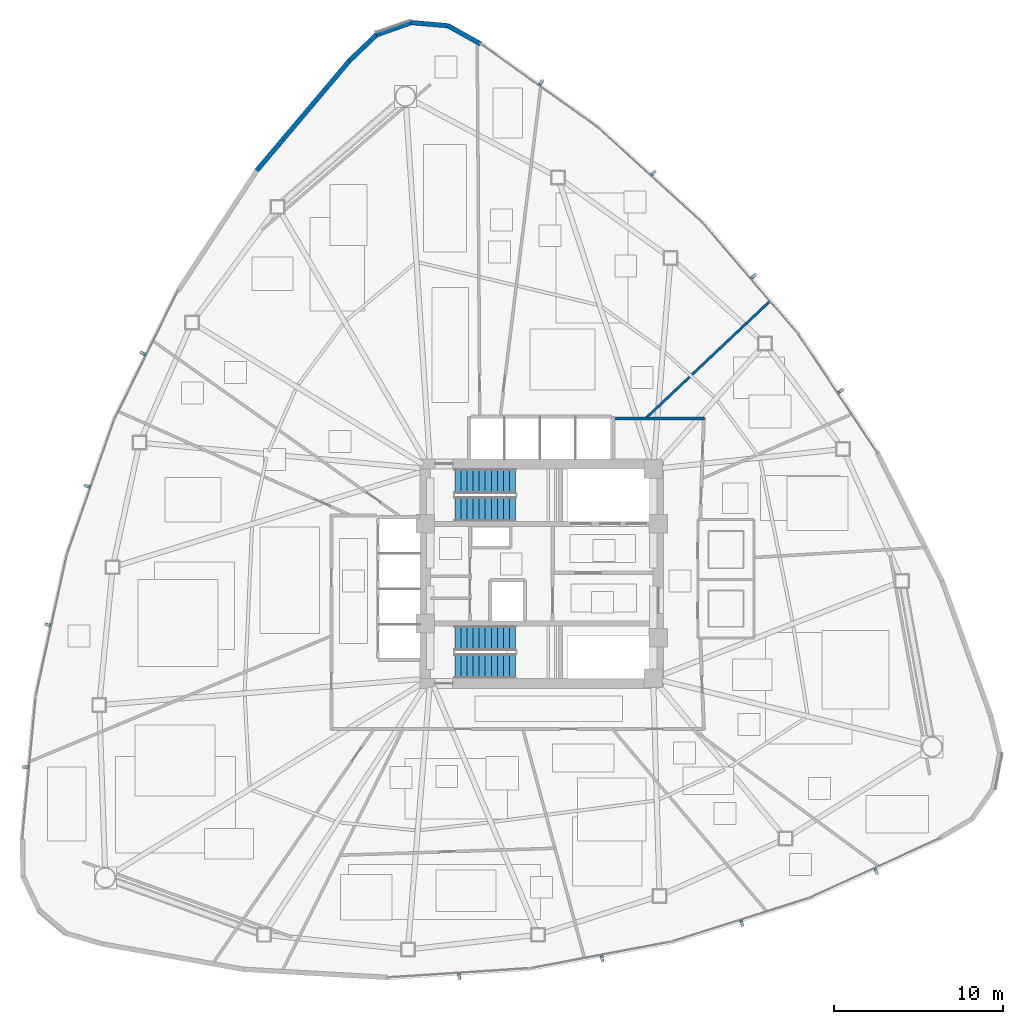
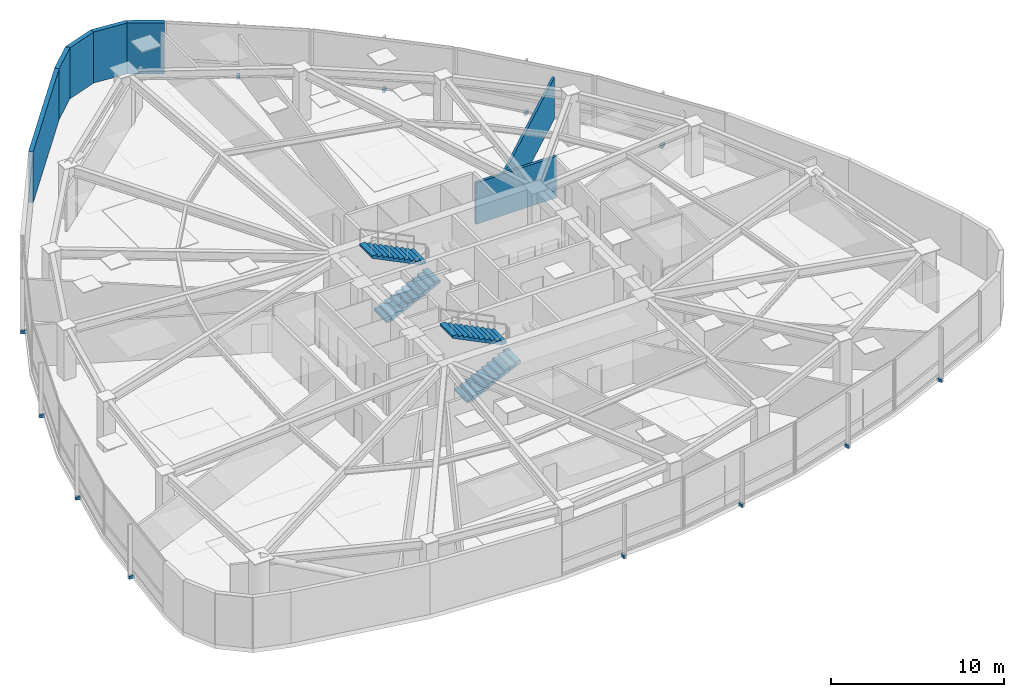
# One storey, part 14 of 18: 12 discrete accessories, 7 walls, 4 stair flights, 2 elements without a shape of their own.
"""IFC4 building model written with IfcOpenShell, lengths in metres."""

import ifcopenshell
import ifcopenshell.guid

model = None  # the IFC model being written
_history = None  # IfcOwnerHistory: only IFC2X3 demands one
_inside = {}  # id of a spatial element -> (the spatial element, [elements in it])
_under = {}  # id of a project, library or spatial element -> (it, [spatial elements below it])
_declared = {}  # id of a project -> (the project, [libraries it declares])
_typed = {}  # id of a type object -> (the type object, [elements of that type])
_made_of = {}  # id of a material, layer set ... -> (it, [elements and type objects made of it])


def new_model(schema):
    """Start an empty IFC model of exactly this schema.

    Asked for "IFC4X3", IfcOpenShell would pick the latest addendum, in which some entities
    have other attributes; the version numbers below select the first issue.
    IFC2X3 requires an IfcOwnerHistory on every rooted entity: one is made here for all.
    """
    global model, _history
    if schema == "IFC4X3":
        model = ifcopenshell.file(schema_version=(4, 3, 0, 0))
    else:
        model = ifcopenshell.file(schema=schema)
    _inside.clear()
    _under.clear()
    _declared.clear()
    _typed.clear()
    _made_of.clear()
    _history = None
    if model.schema == "IFC2X3":
        org = make("IfcOrganization", Name="unknown")
        user = make(
            "IfcPersonAndOrganization",
            ThePerson=make("IfcPerson", FamilyName="unknown"),
            TheOrganization=org,
        )
        app = make(
            "IfcApplication",
            ApplicationDeveloper=org,
            Version="unknown",
            ApplicationFullName="unknown",
            ApplicationIdentifier="unknown",
        )
        _history = make(
            "IfcOwnerHistory",
            OwningUser=user,
            OwningApplication=app,
            ChangeAction="ADDED",
            CreationDate=0,
        )
    return model


def make(cls, **values):
    """One entity of the class cls with the attributes given. An attribute that is None is left unset."""
    return model.create_entity(
        cls, **{name: value for name, value in values.items() if value is not None}
    )


def rooted(cls, **values):
    """An entity with a GlobalId (a new one), such as an element, a storey or a relation."""
    return make(cls, GlobalId=ifcopenshell.guid.new(), OwnerHistory=_history, **values)


def si_unit(unit_type, name, prefix=None):
    """IfcSIUnit, for example si_unit("LENGTHUNIT", "METRE", prefix="MILLI")."""
    return make("IfcSIUnit", UnitType=unit_type, Prefix=prefix, Name=name)


def assignment(units):
    """IfcUnitAssignment: the units of a project."""
    return None if units is None else make("IfcUnitAssignment", Units=units)


def point(xyz):
    """IfcCartesianPoint."""
    return None if xyz is None else make("IfcCartesianPoint", Coordinates=xyz)


def direction(xyz):
    """IfcDirection."""
    return None if xyz is None else make("IfcDirection", DirectionRatios=xyz)


def frame(location, z_axis=None, x_axis=None):
    """IfcAxis2Placement3D, a coordinate frame: its origin and axes. An axis left out is left unset."""
    return make(
        "IfcAxis2Placement3D",
        Location=point(location),
        Axis=direction(z_axis),
        RefDirection=direction(x_axis),
    )


def frame_2d(location, x_axis=None):
    """IfcAxis2Placement2D, a coordinate frame in the plane: its origin and x axis."""
    return make(
        "IfcAxis2Placement2D", Location=point(location), RefDirection=direction(x_axis)
    )


def origin():
    """The frame at (0, 0, 0) with its axes left unset."""
    return frame((0.0, 0.0, 0.0))


def origin_2d():
    """The frame at (0, 0) in the plane with its x axis left unset."""
    return frame_2d((0.0, 0.0))


def place(relative_to, where):
    """IfcLocalPlacement: puts the frame where relative to a parent placement (None: the world)."""
    return make(
        "IfcLocalPlacement", PlacementRelTo=relative_to, RelativePlacement=where
    )


def context(
    kind, dimensions, precision=None, world=None, true_north=None, identifier=None
):
    """IfcGeometricRepresentationContext, for example the 3D "Model" context."""
    return make(
        "IfcGeometricRepresentationContext",
        ContextIdentifier=identifier,
        ContextType=kind,
        CoordinateSpaceDimension=dimensions,
        Precision=precision,
        WorldCoordinateSystem=world,
        TrueNorth=true_north,
    )


def subcontext(parent, identifier, kind, view, scale=None):
    """IfcGeometricRepresentationSubContext, for example "Body" below "Model"."""
    return make(
        "IfcGeometricRepresentationSubContext",
        ContextIdentifier=identifier,
        ContextType=kind,
        ParentContext=parent,
        TargetScale=scale,
        TargetView=view,
    )


def project(units=None, contexts=None):
    """IfcProject with its units and contexts."""
    return rooted(
        "IfcProject",
        Name="project",
        RepresentationContexts=contexts,
        UnitsInContext=assignment(units),
    )


def spatial(cls, under=None, at=None, **own):
    """A site, building, storey or space (cls), placed at a placement, below another one or the project."""
    s = rooted(cls, ObjectPlacement=at, **own)
    if under is not None:
        _under.setdefault(under.id(), (under, []))[1].append(s)
    return s


def polyline(points):
    """IfcPolyline through the points."""
    return make("IfcPolyline", Points=[point(p) for p in points])


def profile(cls, at=None, kind="AREA", **sizes):
    """A parametric profile (cls). Its sizes go by their IFC names, for example OverallWidth=200.0."""
    return make(cls, ProfileType=kind, Position=at, **sizes)


def rectangle(**sizes):
    """IfcRectangleProfileDef."""
    return profile("IfcRectangleProfileDef", **sizes)


def outline(outer, holes=None, kind="AREA"):
    """IfcArbitraryClosedProfileDef: a profile drawn as a closed curve; with holes, ...WithVoids."""
    if holes is None:
        return make("IfcArbitraryClosedProfileDef", ProfileType=kind, OuterCurve=outer)
    return make(
        "IfcArbitraryProfileDefWithVoids",
        ProfileType=kind,
        OuterCurve=outer,
        InnerCurves=holes,
    )


def extrude(swept, where, along, depth):
    """IfcExtrudedAreaSolid: the profile swept, set in the frame where, extruded along a direction by depth."""
    return make(
        "IfcExtrudedAreaSolid",
        SweptArea=swept,
        Position=where,
        ExtrudedDirection=direction(along),
        Depth=depth,
    )


def shape(context_of_items, identifier, shape_type, items):
    """IfcShapeRepresentation: the items that make up one representation, for example the "Body"."""
    return make(
        "IfcShapeRepresentation",
        ContextOfItems=context_of_items,
        RepresentationIdentifier=identifier,
        RepresentationType=shape_type,
        Items=items,
    )


def source(mapping_origin, context_of_items, identifier, shape_type, items):
    """IfcRepresentationMap: a shape defined once, which mapped items show again and again."""
    return make(
        "IfcRepresentationMap",
        MappingOrigin=mapping_origin,
        MappedRepresentation=shape(context_of_items, identifier, shape_type, items),
    )


def transform(
    local_origin,
    x_axis=None,
    y_axis=None,
    z_axis=None,
    scale=None,
    scale2=None,
    scale3=None,
    uniform=True,
):
    """IfcCartesianTransformationOperator3D, or its non-uniform kind. x_axis, y_axis, z_axis: its Axis1, 2, 3."""
    if uniform:
        return make(
            "IfcCartesianTransformationOperator3D",
            Axis1=direction(x_axis),
            Axis2=direction(y_axis),
            LocalOrigin=point(local_origin),
            Scale=scale,
            Axis3=direction(z_axis),
        )
    return make(
        "IfcCartesianTransformationOperator3DnonUniform",
        Axis1=direction(x_axis),
        Axis2=direction(y_axis),
        LocalOrigin=point(local_origin),
        Scale=scale,
        Axis3=direction(z_axis),
        Scale2=scale2,
        Scale3=scale3,
    )


def mapped(mapping_source, mapping_target):
    """IfcMappedItem: shows the shape of a source again, moved by a transform."""
    return make(
        "IfcMappedItem", MappingSource=mapping_source, MappingTarget=mapping_target
    )


def material(Name=None, Category=None):
    """IfcMaterial."""
    return make("IfcMaterial", Name=Name, Category=Category)


def layer(
    of_material, thickness, ventilated=None, Name=None, Category=None, Priority=None
):
    """IfcMaterialLayer: one layer of a wall or slab, of a material (None: an air gap)."""
    return make(
        "IfcMaterialLayer",
        Material=of_material,
        LayerThickness=thickness,
        IsVentilated=ventilated,
        Name=Name,
        Category=Category,
        Priority=Priority,
    )


def layer_set(layers, Name=None):
    """IfcMaterialLayerSet."""
    return make("IfcMaterialLayerSet", MaterialLayers=layers, LayerSetName=Name)


def made_of(thing, what):
    """Note that an element or type object is made of a material, layer set ...; save() writes the relation."""
    if what is not None:
        _made_of.setdefault(what.id(), (what, []))[1].append(thing)
    return thing


def type_object(cls, material=None, **own):
    """A type object (cls), such as IfcWallType, which elements share."""
    return made_of(rooted(cls, **own), material)


def type_shapes(of_type, sources):
    """Give a type object the sources (RepresentationMaps) that its elements show as mapped items."""
    of_type.RepresentationMaps = sources


def element(
    cls,
    number,
    at=None,
    inside=None,
    cuts=None,
    type_object=None,
    material=None,
    context=None,
    identifier="Body",
    shape_type=None,
    held_by="IfcProductDefinitionShape",
    body=None,
    shapes=None,
    **own,
):
    """One element of the class cls, such as IfcWall. Its Tag is "e" and its number.

    at: its placement. inside: the storey or other place that contains it. cuts: it is an
    opening in that element (IfcRelVoidsElement). A single representation is given by context,
    identifier, shape_type and body (its items); several are given by shapes. held_by: the class
    of the entity that holds the representations. save() writes the other relations.
    """
    e = rooted(cls, Tag="e%d" % number, ObjectPlacement=at, **own)
    if body is not None:
        shapes = [shape(context, identifier, shape_type, body)]
    if shapes is not None:
        e.Representation = make(held_by, Representations=shapes)
    if inside is not None:
        _inside.setdefault(inside.id(), (inside, []))[1].append(e)
    if cuts is not None:
        rooted(
            "IfcRelVoidsElement", RelatingBuildingElement=cuts, RelatedOpeningElement=e
        )
    if type_object is not None:
        _typed.setdefault(type_object.id(), (type_object, []))[1].append(e)
    return made_of(e, material)


def aggregate(whole, parts):
    """IfcRelAggregates: a whole, such as a stair, and the parts it consists of."""
    return rooted("IfcRelAggregates", RelatingObject=whole, RelatedObjects=parts)


def save(model, path):
    """Write the relations noted so far, then the file.

    IfcRelAggregates (storeys below a building ...), IfcRelContainedInSpatialStructure (elements
    in a storey), IfcRelDefinesByType, IfcRelAssociatesMaterial and IfcRelDeclares: one each for
    every whole, place, type object, material and project.
    """
    for whole, parts in _under.values():
        aggregate(whole, parts)
    for where, things in _inside.values():
        rooted(
            "IfcRelContainedInSpatialStructure",
            RelatedElements=things,
            RelatingStructure=where,
        )
    for kind, things in _typed.values():
        rooted("IfcRelDefinesByType", RelatedObjects=things, RelatingType=kind)
    for what, things in _made_of.values():
        rooted("IfcRelAssociatesMaterial", RelatedObjects=things, RelatingMaterial=what)
    for by, libraries in _declared.values():
        rooted("IfcRelDeclares", RelatingContext=by, RelatedDefinitions=libraries)
    model.write(path)


model = new_model("IFC4")

# Units and contexts
model_context = context("Model", 3, precision=1e-05, world=origin(), true_north=direction((0.0, 1.0)))
body_context = subcontext(model_context, "Body", "Model", "MODEL_VIEW")
ifc_project = project(units=[si_unit("LENGTHUNIT", "METRE"), si_unit("AREAUNIT", "SQUARE_METRE"), si_unit("VOLUMEUNIT", "CUBIC_METRE"), si_unit("PLANEANGLEUNIT", "RADIAN"), si_unit("MASSUNIT", "GRAM", prefix="KILO")], contexts=[model_context])

# Site, building, storey
site_placement = place(None, origin())
site = spatial("IfcSite", under=ifc_project, at=site_placement, CompositionType="ELEMENT")
building_placement = place(site_placement, origin())
building = spatial("IfcBuilding", under=site, at=building_placement, Name="Tavelor Broadcast Tower", CompositionType="ELEMENT")
storey_placement = place(building_placement, frame((0.0, 0.0, 54.89990234375)))
storey = spatial("IfcBuildingStorey", under=building, at=storey_placement, Name="L12", CompositionType="ELEMENT", Elevation=54.89990234375)

# Walls
ifc_material_1 = material(Name="Calcium Silicate Fire Board 180 mm", Category="gypsum")
ifc_layer_1 = layer(ifc_material_1, 0.179931640625)
ifc_layer_set_1 = layer_set([ifc_layer_1], Name="Calcium Silicate Fire Board 180 mm")
wall_type_1 = type_object("IfcWallType", Name="Fire-Rated Corridor Partition Wall 180 mm", PredefinedType="PARTITIONING", material=ifc_layer_set_1)
wall_1_placement = place(storey_placement, frame((54.300048828125, 54.199951171875, 0.0), z_axis=(0.0, 0.0, 1.0), x_axis=(1.0, 0.0, 0.0)))
element("IfcWall", 1, at=wall_1_placement, inside=storey, type_object=wall_type_1, Name="L12 Corridor Compartment Wall 01", PredefinedType="PARTITIONING", context=body_context, shape_type="SweptSolid", body=[
    extrude(rectangle(XDim=5.349853515625, YDim=0.179931640625, at=frame_2d((2.6748046875, 0.0))), origin(), (0.0, 0.0, 1.0), 2.925048828125),
])
ifc_material_2 = material(Name="Precast Concrete C40/50", Category="concrete")
ifc_layer_2 = layer(ifc_material_2, 0.280029296875)
ifc_layer_set_2 = layer_set([ifc_layer_2], Name="Precast Concrete C40/50")
wall_type_2 = type_object("IfcWallType", Name="Insulated Precast Terracotta Facade Wall 280 mm", PredefinedType="STANDARD", material=ifc_layer_set_2)
wall_2_placement = place(storey_placement, frame((46.377197265625, 76.370849609375, 0.0), z_axis=(0.0, 0.0, 1.0), x_axis=(-0.872541591188, 0.488539836295, 0.0)))
element("IfcWall", 2, at=wall_2_placement, inside=storey, type_object=wall_type_2, Name="L12 Rounded Corner Structural Cladding Pier 01", PredefinedType="STANDARD", context=body_context, shape_type="SweptSolid", body=[
    extrude(rectangle(XDim=2.223388671875, YDim=0.280029296875, at=frame_2d((1.11181640625, 0.0))), origin(), (0.0, 0.0, 1.0), 3.60009765625),
])
for number, where, z_axis, x_axis, name in (
    (3, (44.46533203125, 77.448486328125, 0.0), (0.0, 0.0, 1.0), (-0.996267051646, 0.086324746192, 0.0), "L12 Rounded Corner Structural Cladding Pier 02"),
    (4, (42.291015625, 77.64306640625, 0.0), (0.0, 0.0, 1.0), (-0.943494658008, -0.331387734098, 0.0), "L12 Rounded Corner Structural Cladding Pier 03"),
):
    element("IfcWall", number, at=place(storey_placement, frame(where, z_axis=z_axis, x_axis=x_axis)), inside=storey, type_object=wall_type_2, Name=name, PredefinedType="STANDARD", context=body_context, shape_type="SweptSolid", body=[
        extrude(rectangle(XDim=2.211669921875, YDim=0.280029296875, at=frame_2d((1.10595703125, 0.0))), origin(), (0.0, 0.0, 1.0), 3.60009765625),
    ])
wall_3_placement = place(storey_placement, frame((40.229248046875, 76.925537109375, 0.0), z_axis=(0.0, 0.0, 1.0), x_axis=(-0.723573808072, -0.690247016851, 0.0)))
element("IfcWall", 5, at=wall_3_placement, inside=storey, type_object=wall_type_2, Name="L12 Rounded Corner Structural Cladding Pier 04", PredefinedType="STANDARD", context=body_context, shape_type="SweptSolid", body=[
    extrude(rectangle(XDim=2.234375, YDim=0.280029296875, at=frame_2d((1.1171875, 0.0))), origin(), (0.0, 0.0, 1.0), 3.60009765625),
])
wall_4_placement = place(storey_placement, frame((38.63330078125, 75.405029296875, 0.0), z_axis=(0.0, 0.0, 1.0), x_axis=(-0.645149323205, -0.764056510193, 0.0)))
element("IfcWall", 6, at=wall_4_placement, inside=storey, type_object=wall_type_2, Name="L12 Rounded Corner Structural Cladding Pier 05", PredefinedType="STANDARD", context=body_context, shape_type="SweptSolid", body=[
    extrude(rectangle(XDim=8.54736328125, YDim=0.280029296875, at=frame_2d((4.273681640625, 0.0))), origin(), (0.0, 0.0, 1.0), 3.60009765625),
])
ifc_material_3 = material(Name="Gypsum Acoustic Plasterboard 150 mm", Category="gypsum")
ifc_layer_3 = layer(ifc_material_3, 0.14990234375)
ifc_layer_set_3 = layer_set([ifc_layer_3], Name="Gypsum Acoustic Plasterboard 150 mm")
wall_type_3 = type_object("IfcWallType", Name="Interior Acoustic Partition Wall 150 mm", PredefinedType="PARTITIONING", material=ifc_layer_set_3)
wall_5_placement = place(storey_placement, frame((56.156494140625, 54.199951171875, 0.0), z_axis=(0.0, 0.0, 1.0), x_axis=(0.72755365907, 0.686050780317, 0.0)))
element("IfcWall", 7, at=wall_5_placement, inside=storey, type_object=wall_type_3, Name="L12 Radial Compartment Wall 13", PredefinedType="PARTITIONING", context=body_context, shape_type="SweptSolid", body=[
    extrude(rectangle(XDim=10.129638671875, YDim=0.14990234375, at=frame_2d((5.06494140625, 0.0))), origin(), (0.0, 0.0, 1.0), 2.925048828125),
])

# Stair, stair flights
ifc_material_4 = material(Name="Concrete C40/50", Category="concrete")
stair_type = type_object("IfcStairType", Name="Reinforced Concrete Protected Dogleg Stair 1450 mm", PredefinedType="HALF_TURN_STAIR", material=ifc_material_4)
stair_1_placement = place(storey_placement, origin())
stair_1 = element("IfcStair", 8, at=stair_1_placement, inside=storey, type_object=stair_type, Name="L12 Protected Core Exit Stair ST1", PredefinedType="HALF_TURN_STAIR")
stair_flight_type = type_object("IfcStairFlightType", Name="Reinforced Concrete Stair Flight 1450 mm", PredefinedType="STRAIGHT", material=ifc_material_4)
stair_flight_1_placement = place(storey_placement, frame((44.85009765625, 48.824951171875, 0.0), z_axis=(0.0, 0.0, 1.0), x_axis=(1.0, 0.0, 0.0)))
stair_flight_1 = element("IfcStairFlight", 9, at=stair_flight_1_placement, type_object=stair_flight_type, Name="ST1 flight 1", NumberOfRisers=11, NumberOfTreads=10, PredefinedType="STRAIGHT", RiserHeight=0.177272727, TreadLength=0.36, context=body_context, shape_type="SweptSolid", body=[
    extrude(outline(polyline([(0.0, 0.0), (0.0, 0.17724609375), (0.360107421875, 0.17724609375), (0.360107421875, 0.3544921875), (0.719970703125, 0.3544921875), (0.719970703125, 0.53173828125), (1.080078125, 0.53173828125), (1.080078125, 0.708984375), (1.43994140625, 0.708984375), (1.43994140625, 0.886474609375), (1.800048828125, 0.886474609375), (1.800048828125, 1.063720703125), (2.159912109375, 1.063720703125), (2.159912109375, 1.240966796875), (2.52001953125, 1.240966796875), (2.52001953125, 1.418212890625), (2.8798828125, 1.418212890625), (2.8798828125, 1.595458984375), (3.239990234375, 1.595458984375), (3.239990234375, 1.772705078125), (3.60009765625, 1.772705078125), (3.60009765625, 1.949951171875), (3.60009765625, 1.605712890625), (0.33935546875, 0.0), (0.0, 0.0)])), frame((0.0, 0.72509765625, 0.0), z_axis=(0.0, -1.0, 0.0), x_axis=(1.0, 0.0, 0.0)), (0.0, 0.0, 1.0), 1.449951171875),
])
stair_flight_2_placement = place(storey_placement, frame((48.449951171875, 50.47509765625, 1.9501953125), z_axis=(0.0, 0.0, 1.0), x_axis=(-1.0, 0.0, 0.0)))
stair_flight_2 = element("IfcStairFlight", 10, at=stair_flight_2_placement, type_object=stair_flight_type, Name="ST1 flight 2", NumberOfRisers=11, NumberOfTreads=10, PredefinedType="STRAIGHT", RiserHeight=0.177272727, TreadLength=0.36, context=body_context, shape_type="SweptSolid", body=[
    extrude(outline(polyline([(0.0, 0.0), (0.0, 0.17724609375), (0.360107421875, 0.17724609375), (0.360107421875, 0.3544921875), (0.719970703125, 0.3544921875), (0.719970703125, 0.53173828125), (1.080078125, 0.53173828125), (1.080078125, 0.708984375), (1.43994140625, 0.708984375), (1.43994140625, 0.886474609375), (1.800048828125, 0.886474609375), (1.800048828125, 1.063720703125), (2.159912109375, 1.063720703125), (2.159912109375, 1.240966796875), (2.52001953125, 1.240966796875), (2.52001953125, 1.418212890625), (2.8798828125, 1.418212890625), (2.8798828125, 1.595458984375), (3.239990234375, 1.595458984375), (3.239990234375, 1.772705078125), (3.60009765625, 1.772705078125), (3.60009765625, 1.949951171875), (3.60009765625, 1.605712890625), (0.33935546875, 0.0), (0.0, 0.0)])), frame((0.0, 0.72509765625, 0.0), z_axis=(0.0, -1.0, 0.0), x_axis=(1.0, 0.0, 0.0)), (0.0, 0.0, 1.0), 1.449951171875),
])
aggregate(stair_1, [stair_flight_1, stair_flight_2])

stair_2_placement = place(storey_placement, origin())
stair_2 = element("IfcStair", 11, at=stair_2_placement, inside=storey, type_object=stair_type, Name="L12 Protected Core Exit Stair ST2", PredefinedType="HALF_TURN_STAIR")
stair_flight_3_placement = place(storey_placement, frame((44.85009765625, 39.52490234375, 0.0), z_axis=(0.0, 0.0, 1.0), x_axis=(1.0, 0.0, 0.0)))
stair_flight_3 = element("IfcStairFlight", 12, at=stair_flight_3_placement, type_object=stair_flight_type, Name="ST2 flight 1", NumberOfRisers=11, NumberOfTreads=10, PredefinedType="STRAIGHT", RiserHeight=0.177272727, TreadLength=0.36, context=body_context, shape_type="SweptSolid", body=[
    extrude(outline(polyline([(0.0, 0.0), (0.0, 0.17724609375), (0.360107421875, 0.17724609375), (0.360107421875, 0.3544921875), (0.719970703125, 0.3544921875), (0.719970703125, 0.53173828125), (1.080078125, 0.53173828125), (1.080078125, 0.708984375), (1.43994140625, 0.708984375), (1.43994140625, 0.886474609375), (1.800048828125, 0.886474609375), (1.800048828125, 1.063720703125), (2.159912109375, 1.063720703125), (2.159912109375, 1.240966796875), (2.52001953125, 1.240966796875), (2.52001953125, 1.418212890625), (2.8798828125, 1.418212890625), (2.8798828125, 1.595458984375), (3.239990234375, 1.595458984375), (3.239990234375, 1.772705078125), (3.60009765625, 1.772705078125), (3.60009765625, 1.949951171875), (3.60009765625, 1.605712890625), (0.33935546875, 0.0), (0.0, 0.0)])), frame((0.0, 0.72509765625, 0.0), z_axis=(0.0, -1.0, 0.0), x_axis=(1.0, 0.0, 0.0)), (0.0, 0.0, 1.0), 1.449951171875),
])
stair_flight_4_placement = place(storey_placement, frame((48.449951171875, 41.175048828125, 1.9501953125), z_axis=(0.0, 0.0, 1.0), x_axis=(-1.0, 0.0, 0.0)))
stair_flight_4 = element("IfcStairFlight", 13, at=stair_flight_4_placement, type_object=stair_flight_type, Name="ST2 flight 2", NumberOfRisers=11, NumberOfTreads=10, PredefinedType="STRAIGHT", RiserHeight=0.177272727, TreadLength=0.36, context=body_context, shape_type="SweptSolid", body=[
    extrude(outline(polyline([(0.0, 0.0), (0.0, 0.17724609375), (0.360107421875, 0.17724609375), (0.360107421875, 0.3544921875), (0.719970703125, 0.3544921875), (0.719970703125, 0.53173828125), (1.080078125, 0.53173828125), (1.080078125, 0.708984375), (1.43994140625, 0.708984375), (1.43994140625, 0.886474609375), (1.800048828125, 0.886474609375), (1.800048828125, 1.063720703125), (2.159912109375, 1.063720703125), (2.159912109375, 1.240966796875), (2.52001953125, 1.240966796875), (2.52001953125, 1.418212890625), (2.8798828125, 1.418212890625), (2.8798828125, 1.595458984375), (3.239990234375, 1.595458984375), (3.239990234375, 1.772705078125), (3.60009765625, 1.772705078125), (3.60009765625, 1.949951171875), (3.60009765625, 1.605712890625), (0.33935546875, 0.0), (0.0, 0.0)])), frame((0.0, 0.72509765625, 0.0), z_axis=(0.0, -1.0, 0.0), x_axis=(1.0, 0.0, 0.0)), (0.0, 0.0, 1.0), 1.449951171875),
])
aggregate(stair_2, [stair_flight_3, stair_flight_4])

# Discrete accessories
ifc_material_5 = material(Name="Steel S355", Category="steel")
discrete_accessory_type = type_object("IfcDiscreteAccessoryType", Name="Stainless Baguette Outrigger Support Bracket 260x180", PredefinedType="BRACKET", material=ifc_material_5)
shared_shape = source(origin(), body_context, "Body", "SweptSolid", [
    extrude(rectangle(XDim=0.179931640625, YDim=0.340087890625, at=origin_2d()), origin(), (0.0, 0.0, 1.0), 0.216064453125),
])
type_shapes(discrete_accessory_type, [shared_shape])
for number, where, z_axis, x_axis, name in (
    (14, (26.3798828125, 58.041015625, -0.2578125), (0.0, 0.0, 1.0), (-0.442758231039, -0.896641036785, 0.0), "L12 Baguette Outrigger Bracket 97"),
    (15, (23.0751953125, 50.1796875, -0.2578125), (0.0, 0.0, 1.0), (-0.330843821252, -0.943685522798, 0.0), "L12 Baguette Outrigger Bracket 98"),
    (16, (20.746337890625, 41.976318359375, -0.2578125), (0.0, 0.0, 1.0), (-0.214223913346, -0.976784579603, 0.0), "L12 Baguette Outrigger Bracket 99"),
    (17, (19.42724609375, 33.5517578125, -0.2578125), (0.0, 0.0, 1.0), (-0.094455824262, -0.995529053952, 0.0), "L12 Baguette Outrigger Bracket 100"),
    (18, (45.116455078125, 21.1416015625, -0.2578125), (0.0, 0.0, 1.0), (0.997881692444, 0.065054806779, 0.0), "L12 Baguette Outrigger Bracket 101"),
    (19, (53.57666015625, 22.210205078125, -0.2578125), (0.0, 0.0, 1.0), (0.982709876657, 0.185152095101, 0.0), "L12 Baguette Outrigger Bracket 102"),
    (20, (61.84521484375, 24.294921875, -0.2578125), (0.0, 0.0, 1.0), (0.953032216634, 0.302868938746, 0.0), "L12 Baguette Outrigger Bracket 103"),
    (21, (69.80078125, 27.364990234375, -0.2578125), (0.0, 0.0, 1.0), (0.909381363059, 0.41596338363, 0.0), "L12 Baguette Outrigger Bracket 104"),
    (22, (67.703857421875, 55.817626953125, -0.2578125), (0.0, 0.0, 1.0), (-0.555134800412, 0.831760394207, 0.0), "L12 Baguette Outrigger Bracket 105"),
    (23, (62.548095703125, 62.610107421875, -0.2578125), (0.0, 0.0, 1.0), (-0.651833725301, 0.758361915289, 0.0), "L12 Baguette Outrigger Bracket 106"),
    (24, (56.6083984375, 68.728515625, -0.2578125), (0.0, 0.0, 1.0), (-0.738808303288, 0.673915640857, 0.0), "L12 Baguette Outrigger Bracket 107"),
    (25, (49.971923828125, 74.083251953125, -0.2578125), (0.0, 0.0, 1.0), (-0.814925538797, 0.579565670322, 0.0), "L12 Baguette Outrigger Bracket 108"),
):
    element("IfcDiscreteAccessory", number, at=place(storey_placement, frame(where, z_axis=z_axis, x_axis=x_axis)), inside=storey, type_object=discrete_accessory_type, Name=name, PredefinedType="BRACKET", context=body_context, shape_type="MappedRepresentation", body=[
        mapped(shared_shape, transform((0.0, 0.0, 0.0), scale=1.0)),
    ])

save(model, "model.ifc")
